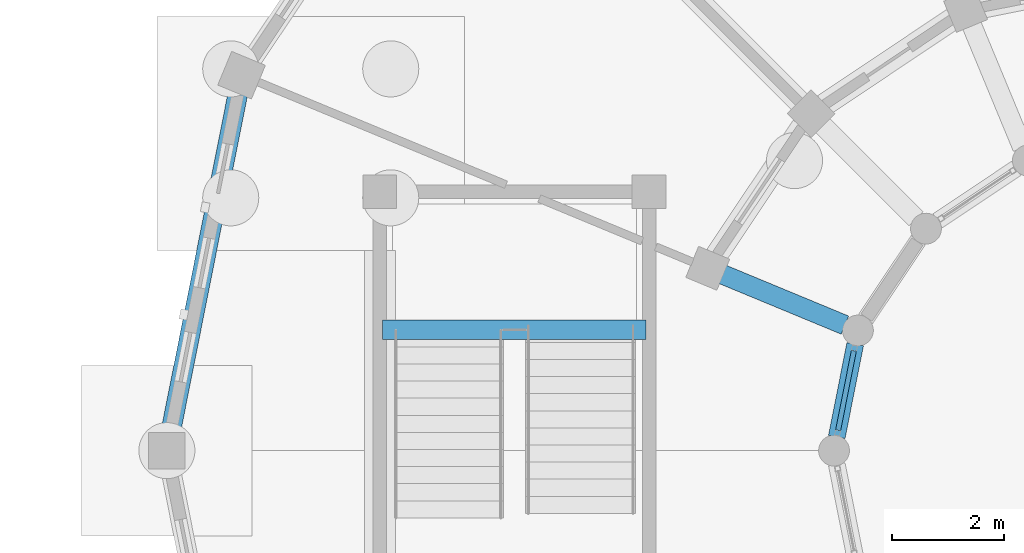
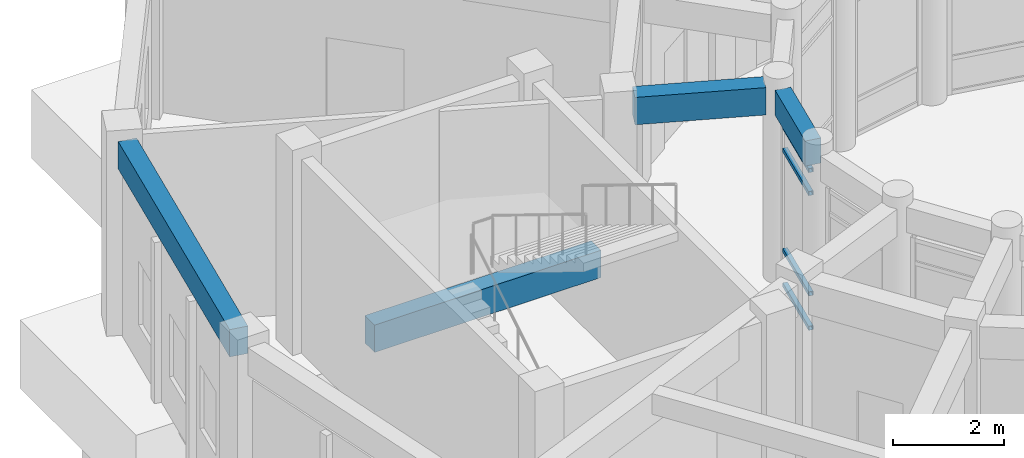
# One storey, part 71 of 153: 4 beams, 4 members, 1 element without a shape of its own.
"""IFC4 building model written with IfcOpenShell, lengths in metres."""

import ifcopenshell
import ifcopenshell.guid

model = None  # the IFC model being written
_history = None  # IfcOwnerHistory: only IFC2X3 demands one
_inside = {}  # id of a spatial element -> (the spatial element, [elements in it])
_under = {}  # id of a project, library or spatial element -> (it, [spatial elements below it])
_declared = {}  # id of a project -> (the project, [libraries it declares])
_typed = {}  # id of a type object -> (the type object, [elements of that type])
_made_of = {}  # id of a material, layer set ... -> (it, [elements and type objects made of it])


def new_model(schema):
    """Start an empty IFC model of exactly this schema.

    Asked for "IFC4X3", IfcOpenShell would pick the latest addendum, in which some entities
    have other attributes; the version numbers below select the first issue.
    IFC2X3 requires an IfcOwnerHistory on every rooted entity: one is made here for all.
    """
    global model, _history
    if schema == "IFC4X3":
        model = ifcopenshell.file(schema_version=(4, 3, 0, 0))
    else:
        model = ifcopenshell.file(schema=schema)
    _inside.clear()
    _under.clear()
    _declared.clear()
    _typed.clear()
    _made_of.clear()
    _history = None
    if model.schema == "IFC2X3":
        org = make("IfcOrganization", Name="unknown")
        user = make(
            "IfcPersonAndOrganization",
            ThePerson=make("IfcPerson", FamilyName="unknown"),
            TheOrganization=org,
        )
        app = make(
            "IfcApplication",
            ApplicationDeveloper=org,
            Version="unknown",
            ApplicationFullName="unknown",
            ApplicationIdentifier="unknown",
        )
        _history = make(
            "IfcOwnerHistory",
            OwningUser=user,
            OwningApplication=app,
            ChangeAction="ADDED",
            CreationDate=0,
        )
    return model


def make(cls, **values):
    """One entity of the class cls with the attributes given. An attribute that is None is left unset."""
    return model.create_entity(
        cls, **{name: value for name, value in values.items() if value is not None}
    )


def rooted(cls, **values):
    """An entity with a GlobalId (a new one), such as an element, a storey or a relation."""
    return make(cls, GlobalId=ifcopenshell.guid.new(), OwnerHistory=_history, **values)


def si_unit(unit_type, name, prefix=None):
    """IfcSIUnit, for example si_unit("LENGTHUNIT", "METRE", prefix="MILLI")."""
    return make("IfcSIUnit", UnitType=unit_type, Prefix=prefix, Name=name)


def assignment(units):
    """IfcUnitAssignment: the units of a project."""
    return None if units is None else make("IfcUnitAssignment", Units=units)


def point(xyz):
    """IfcCartesianPoint."""
    return None if xyz is None else make("IfcCartesianPoint", Coordinates=xyz)


def direction(xyz):
    """IfcDirection."""
    return None if xyz is None else make("IfcDirection", DirectionRatios=xyz)


def frame(location, z_axis=None, x_axis=None):
    """IfcAxis2Placement3D, a coordinate frame: its origin and axes. An axis left out is left unset."""
    return make(
        "IfcAxis2Placement3D",
        Location=point(location),
        Axis=direction(z_axis),
        RefDirection=direction(x_axis),
    )


def frame_2d(location, x_axis=None):
    """IfcAxis2Placement2D, a coordinate frame in the plane: its origin and x axis."""
    return make(
        "IfcAxis2Placement2D", Location=point(location), RefDirection=direction(x_axis)
    )


def origin():
    """The frame at (0, 0, 0) with its axes left unset."""
    return frame((0.0, 0.0, 0.0))


def origin_2d():
    """The frame at (0, 0) in the plane with its x axis left unset."""
    return frame_2d((0.0, 0.0))


def place(relative_to, where):
    """IfcLocalPlacement: puts the frame where relative to a parent placement (None: the world)."""
    return make(
        "IfcLocalPlacement", PlacementRelTo=relative_to, RelativePlacement=where
    )


def context(
    kind, dimensions, precision=None, world=None, true_north=None, identifier=None
):
    """IfcGeometricRepresentationContext, for example the 3D "Model" context."""
    return make(
        "IfcGeometricRepresentationContext",
        ContextIdentifier=identifier,
        ContextType=kind,
        CoordinateSpaceDimension=dimensions,
        Precision=precision,
        WorldCoordinateSystem=world,
        TrueNorth=true_north,
    )


def subcontext(parent, identifier, kind, view, scale=None):
    """IfcGeometricRepresentationSubContext, for example "Body" below "Model"."""
    return make(
        "IfcGeometricRepresentationSubContext",
        ContextIdentifier=identifier,
        ContextType=kind,
        ParentContext=parent,
        TargetScale=scale,
        TargetView=view,
    )


def project(units=None, contexts=None):
    """IfcProject with its units and contexts."""
    return rooted(
        "IfcProject",
        Name="project",
        RepresentationContexts=contexts,
        UnitsInContext=assignment(units),
    )


def spatial(cls, under=None, at=None, **own):
    """A site, building, storey or space (cls), placed at a placement, below another one or the project."""
    s = rooted(cls, ObjectPlacement=at, **own)
    if under is not None:
        _under.setdefault(under.id(), (under, []))[1].append(s)
    return s


def profile(cls, at=None, kind="AREA", **sizes):
    """A parametric profile (cls). Its sizes go by their IFC names, for example OverallWidth=200.0."""
    return make(cls, ProfileType=kind, Position=at, **sizes)


def rectangle(**sizes):
    """IfcRectangleProfileDef."""
    return profile("IfcRectangleProfileDef", **sizes)


def hollow_rectangle(**sizes):
    """IfcRectangleHollowProfileDef."""
    return profile("IfcRectangleHollowProfileDef", **sizes)


def extrude(swept, where, along, depth):
    """IfcExtrudedAreaSolid: the profile swept, set in the frame where, extruded along a direction by depth."""
    return make(
        "IfcExtrudedAreaSolid",
        SweptArea=swept,
        Position=where,
        ExtrudedDirection=direction(along),
        Depth=depth,
    )


def shape(context_of_items, identifier, shape_type, items):
    """IfcShapeRepresentation: the items that make up one representation, for example the "Body"."""
    return make(
        "IfcShapeRepresentation",
        ContextOfItems=context_of_items,
        RepresentationIdentifier=identifier,
        RepresentationType=shape_type,
        Items=items,
    )


def material(Name=None, Category=None):
    """IfcMaterial."""
    return make("IfcMaterial", Name=Name, Category=Category)


def material_profile(
    of_material, cross_section, Name=None, Category=None, Priority=None
):
    """IfcMaterialProfile: a cross section and its material."""
    return make(
        "IfcMaterialProfile",
        Name=Name,
        Material=of_material,
        Profile=cross_section,
        Priority=Priority,
        Category=Category,
    )


def profile_set(profiles, Name=None, composite=None):
    """IfcMaterialProfileSet."""
    return make(
        "IfcMaterialProfileSet",
        Name=Name,
        MaterialProfiles=profiles,
        CompositeProfile=composite,
    )


def made_of(thing, what):
    """Note that an element or type object is made of a material, layer set ...; save() writes the relation."""
    if what is not None:
        _made_of.setdefault(what.id(), (what, []))[1].append(thing)
    return thing


def type_object(cls, material=None, **own):
    """A type object (cls), such as IfcWallType, which elements share."""
    return made_of(rooted(cls, **own), material)


def element(
    cls,
    number,
    at=None,
    inside=None,
    cuts=None,
    type_object=None,
    material=None,
    context=None,
    identifier="Body",
    shape_type=None,
    held_by="IfcProductDefinitionShape",
    body=None,
    shapes=None,
    **own,
):
    """One element of the class cls, such as IfcWall. Its Tag is "e" and its number.

    at: its placement. inside: the storey or other place that contains it. cuts: it is an
    opening in that element (IfcRelVoidsElement). A single representation is given by context,
    identifier, shape_type and body (its items); several are given by shapes. held_by: the class
    of the entity that holds the representations. save() writes the other relations.
    """
    e = rooted(cls, Tag="e%d" % number, ObjectPlacement=at, **own)
    if body is not None:
        shapes = [shape(context, identifier, shape_type, body)]
    if shapes is not None:
        e.Representation = make(held_by, Representations=shapes)
    if inside is not None:
        _inside.setdefault(inside.id(), (inside, []))[1].append(e)
    if cuts is not None:
        rooted(
            "IfcRelVoidsElement", RelatingBuildingElement=cuts, RelatedOpeningElement=e
        )
    if type_object is not None:
        _typed.setdefault(type_object.id(), (type_object, []))[1].append(e)
    return made_of(e, material)


def aggregate(whole, parts):
    """IfcRelAggregates: a whole, such as a stair, and the parts it consists of."""
    return rooted("IfcRelAggregates", RelatingObject=whole, RelatedObjects=parts)


def save(model, path):
    """Write the relations noted so far, then the file.

    IfcRelAggregates (storeys below a building ...), IfcRelContainedInSpatialStructure (elements
    in a storey), IfcRelDefinesByType, IfcRelAssociatesMaterial and IfcRelDeclares: one each for
    every whole, place, type object, material and project.
    """
    for whole, parts in _under.values():
        aggregate(whole, parts)
    for where, things in _inside.values():
        rooted(
            "IfcRelContainedInSpatialStructure",
            RelatedElements=things,
            RelatingStructure=where,
        )
    for kind, things in _typed.values():
        rooted("IfcRelDefinesByType", RelatedObjects=things, RelatingType=kind)
    for what, things in _made_of.values():
        rooted("IfcRelAssociatesMaterial", RelatedObjects=things, RelatingMaterial=what)
    for by, libraries in _declared.values():
        rooted("IfcRelDeclares", RelatingContext=by, RelatedDefinitions=libraries)
    model.write(path)


model = new_model("IFC4")

# Units and contexts
model_context = context("Model", 3, precision=1e-05, world=origin(), true_north=direction((0.0, 1.0)))
body_context = subcontext(model_context, "Body", "Model", "MODEL_VIEW")
ifc_project = project(units=[si_unit("LENGTHUNIT", "METRE"), si_unit("AREAUNIT", "SQUARE_METRE"), si_unit("VOLUMEUNIT", "CUBIC_METRE"), si_unit("PLANEANGLEUNIT", "RADIAN"), si_unit("MASSUNIT", "GRAM", prefix="KILO")], contexts=[model_context])

# Site, building, storey
site_placement = place(None, origin())
site = spatial("IfcSite", under=ifc_project, at=site_placement, CompositionType="ELEMENT")
building_placement = place(site_placement, origin())
building = spatial("IfcBuilding", under=site, at=building_placement, Name="Celadon Cloister-Ring School", CompositionType="ELEMENT")
storey_placement = place(building_placement, origin())
storey = spatial("IfcBuildingStorey", under=building, at=storey_placement, Name="L00", CompositionType="ELEMENT", Elevation=0.0)

# Beams
ifc_material_1 = material(Name="Concrete C35/45", Category="concrete")
ifc_material_profile_1 = material_profile(ifc_material_1, rectangle(XDim=0.35009765625, YDim=0.60009765625, at=origin_2d()), Name="RC350X600")
ifc_profile_set_1 = profile_set([ifc_material_profile_1], Name="Concrete C35/45")
beam_type_1 = type_object("IfcBeamType", Name="BT-02", PredefinedType="BEAM", material=ifc_profile_set_1)
beam_1_placement = place(storey_placement, frame((12.60107421875, 100.14794921875, 3.9599609375), z_axis=(0.92384765409, -0.382760384618, 0.0), x_axis=(0.382760384618, 0.92384765409, 0.0)))
element("IfcBeam", 1, at=beam_1_placement, inside=storey, type_object=beam_type_1, Name="Beam 0600", PredefinedType="BEAM", context=body_context, shape_type="SweptSolid", body=[
    extrude(rectangle(XDim=0.35009765625, YDim=0.60009765625, at=origin_2d()), origin(), (0.0, 0.0, 1.0), 2.374755859375),
])
beam_2_placement = place(storey_placement, frame((6.550048828125, 99.155029296875, 1.669921875), z_axis=(1.0, 0.0, 0.0), x_axis=(0.0, 1.0, 0.0)))
element("IfcBeam", 2, at=beam_2_placement, inside=storey, type_object=beam_type_1, Name="Stair Landing Beam 1737", PredefinedType="BEAM", context=body_context, shape_type="SweptSolid", body=[
    extrude(rectangle(XDim=0.35009765625, YDim=0.60009765625, at=origin_2d()), origin(), (0.0, 0.0, 1.0), 4.699951171875),
])

# Curtain wall, members
ifc_material_2 = material(Name="Aluminium EN AW-6063 T6", Category="aluminium")
curtain_wall_type = type_object("IfcCurtainWallType", Name="CW-03", PredefinedType="USERDEFINED", material=ifc_material_2)
curtain_wall_placement = place(storey_placement, origin())
curtain_wall = element("IfcCurtainWall", 3, at=curtain_wall_placement, inside=storey, type_object=curtain_wall_type, Name="Curtain Wall 0084", ObjectType="CURTAIN WALL", PredefinedType="USERDEFINED")
ifc_material_3 = material(Name="Aluminium EN AW-6063 T6", Category="aluminium")
ifc_material_profile_2 = material_profile(ifc_material_3, hollow_rectangle(XDim=0.090087890625, YDim=0.090087890625, WallThickness=0.00390625, at=origin_2d()), Name="RHS90X90X4")
ifc_profile_set_2 = profile_set([ifc_material_profile_2], Name="Aluminium EN AW-6063 T6")
member_type = type_object("IfcMemberType", Name="CTM-02", PredefinedType="USERDEFINED", material=ifc_profile_set_2)
member_1_placement = place(storey_placement, frame((14.95361328125, 98.77978515625, 0.044921875), z_axis=(-0.194587856315, -0.980885093257, 0.0), x_axis=(0.980885093257, -0.194587856315, 0.0)))
member_1 = element("IfcMember", 4, at=member_1_placement, type_object=member_type, Name="CW-03 transom 1.1", ObjectType="TRANSOM", PredefinedType="USERDEFINED", context=body_context, shape_type="SweptSolid", body=[
    extrude(hollow_rectangle(XDim=0.090087890625, YDim=0.090087890625, WallThickness=0.00390625, at=origin_2d()), origin(), (0.0, 0.0, 1.0), 1.444091796875),
])
member_2_placement = place(storey_placement, frame((14.95361328125, 98.77978515625, 0.800048828125), z_axis=(-0.194587856315, -0.980885093257, 0.0), x_axis=(0.980885093257, -0.194587856315, 0.0)))
member_2 = element("IfcMember", 5, at=member_2_placement, type_object=member_type, Name="CW-03 transom 1.2", ObjectType="TRANSOM", PredefinedType="USERDEFINED", context=body_context, shape_type="SweptSolid", body=[
    extrude(hollow_rectangle(XDim=0.090087890625, YDim=0.090087890625, WallThickness=0.00390625, at=origin_2d()), origin(), (0.0, 0.0, 1.0), 1.444091796875),
])
member_3_placement = place(storey_placement, frame((14.95361328125, 98.77978515625, 3.0), z_axis=(-0.194587856315, -0.980885093257, 0.0), x_axis=(0.980885093257, -0.194587856315, 0.0)))
member_3 = element("IfcMember", 6, at=member_3_placement, type_object=member_type, Name="CW-03 transom 1.3", ObjectType="TRANSOM", PredefinedType="USERDEFINED", context=body_context, shape_type="SweptSolid", body=[
    extrude(hollow_rectangle(XDim=0.090087890625, YDim=0.090087890625, WallThickness=0.00390625, at=origin_2d()), origin(), (0.0, 0.0, 1.0), 1.444091796875),
])
member_4_placement = place(storey_placement, frame((14.95361328125, 98.77978515625, 3.5048828125), z_axis=(-0.194587856315, -0.980885093257, 0.0), x_axis=(0.980885093257, -0.194587856315, 0.0)))
member_4 = element("IfcMember", 7, at=member_4_placement, type_object=member_type, Name="CW-03 transom 1.4", ObjectType="TRANSOM", PredefinedType="USERDEFINED", context=body_context, shape_type="SweptSolid", body=[
    extrude(hollow_rectangle(XDim=0.090087890625, YDim=0.090087890625, WallThickness=0.00390625, at=origin_2d()), origin(), (0.0, 0.0, 1.0), 1.444091796875),
])
aggregate(curtain_wall, [member_1, member_2, member_3, member_4])

# Beams
ifc_material_4 = material(Name="Concrete C35/45", Category="concrete")
ifc_material_profile_3 = material_profile(ifc_material_4, rectangle(XDim=0.35009765625, YDim=0.60009765625, at=origin_2d()), Name="RC350X600")
ifc_profile_set_3 = profile_set([ifc_material_profile_3], Name="Concrete C35/45")
beam_type_2 = type_object("IfcBeamType", Name="SP-01", PredefinedType="SPANDREL", material=ifc_profile_set_3)
beam_3_placement = place(storey_placement, frame((3.972900390625, 103.403076171875, 3.9599609375), z_axis=(-0.194887307107, -0.980825640738, 0.0), x_axis=(0.980825640738, -0.194887307107, 0.0)))
element("IfcBeam", 8, at=beam_3_placement, inside=storey, type_object=beam_type_2, Name="Beam 0634", PredefinedType="SPANDREL", context=body_context, shape_type="SweptSolid", body=[
    extrude(rectangle(XDim=0.35009765625, YDim=0.60009765625, at=origin_2d()), origin(), (0.0, 0.0, 1.0), 6.228515625),
])
ifc_material_5 = material(Name="Concrete C35/45", Category="concrete")
ifc_material_profile_4 = material_profile(ifc_material_5, rectangle(XDim=0.300048828125, YDim=0.550048828125, at=origin_2d()), Name="RC300X550")
ifc_profile_set_4 = profile_set([ifc_material_profile_4], Name="Concrete C35/45")
beam_type_3 = type_object("IfcBeamType", Name="SP-02", PredefinedType="SPANDREL", material=ifc_profile_set_4)
beam_4_placement = place(storey_placement, frame((14.97705078125, 98.89794921875, 3.985107421875), z_axis=(-0.194722830887, -0.980858307367, 0.0), x_axis=(0.980858307367, -0.194722830887, 0.0)))
element("IfcBeam", 9, at=beam_4_placement, inside=storey, type_object=beam_type_3, Name="Beam 0635", PredefinedType="SPANDREL", context=body_context, shape_type="SweptSolid", body=[
    extrude(rectangle(XDim=0.300048828125, YDim=0.550048828125, at=origin_2d()), origin(), (0.0, 0.0, 1.0), 1.68505859375),
])

save(model, "model.ifc")
